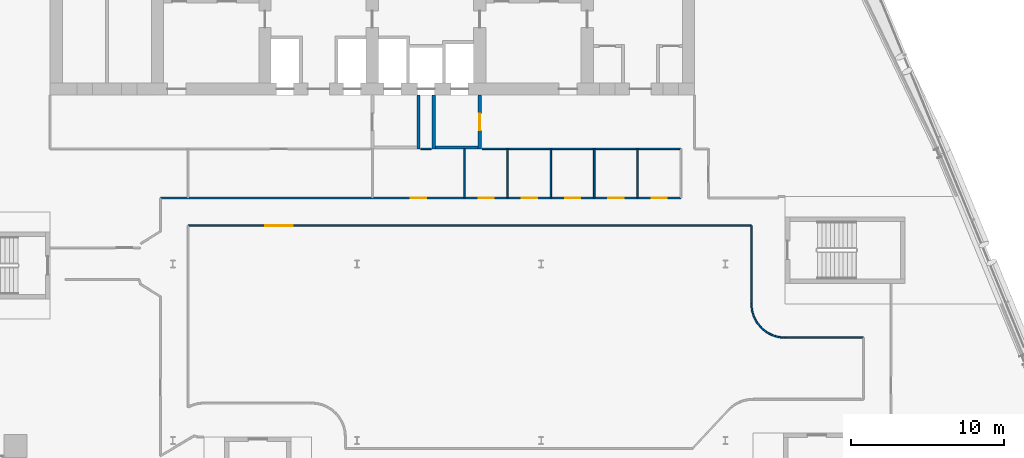
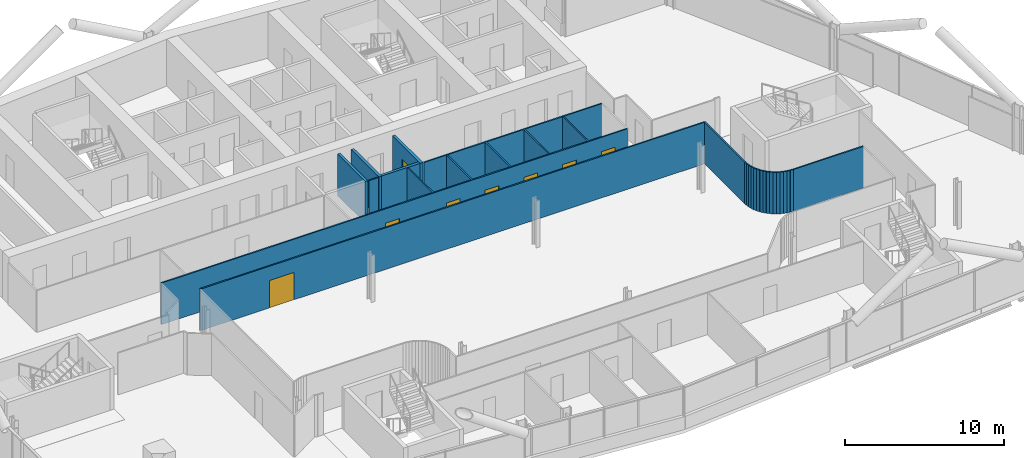
# One storey, part 18 of 29: 31 walls, 8 doors, 8 openings.
"""IFC4 building model written with IfcOpenShell, lengths in metres."""

from ifc_helpers import new_model, si_unit, direction, frame, frame_2d, origin, place, context, subcontext, project, spatial, rectangle, extrude, material, layer, layer_set, type_object, element, fill, save


model = new_model("IFC4")

# Units and contexts
model_context = context("Model", 3, precision=1e-05, world=origin(), true_north=direction((0.0, 1.0)))
body_context = subcontext(model_context, "Body", "Model", "MODEL_VIEW")
ifc_project = project(units=[si_unit("LENGTHUNIT", "METRE"), si_unit("AREAUNIT", "SQUARE_METRE"), si_unit("VOLUMEUNIT", "CUBIC_METRE"), si_unit("PLANEANGLEUNIT", "RADIAN"), si_unit("MASSUNIT", "GRAM", prefix="KILO")], contexts=[model_context])

# Site, building, storey
site_placement = place(None, origin())
site = spatial("IfcSite", under=ifc_project, at=site_placement, CompositionType="ELEMENT")
building_placement = place(site_placement, origin())
building = spatial("IfcBuilding", under=site, at=building_placement, Name="Wharfspan Tower", CompositionType="ELEMENT")
storey_placement = place(building_placement, frame((0.0, 0.0, 162.699951)))
storey = spatial("IfcBuildingStorey", under=building, at=storey_placement, Name="L39", CompositionType="ELEMENT", Elevation=162.699951)

# Wall, openings, doors
ifc_material_1 = material(Name="Gypsum board on steel studs", Category="steel")
ifc_layer_1 = layer(ifc_material_1, 0.100098)
ifc_layer_set_1 = layer_set([ifc_layer_1], Name="Gypsum board on steel studs")
wall_type_1 = type_object("IfcWallType", Name="Compartment wall 100 EI 60", PredefinedType="PARTITIONING", material=ifc_layer_set_1)
wall_1_placement = place(storey_placement, frame((23.199951, 27.300049, 0.0), z_axis=(0.0, 0.0, 1.0), x_axis=(1.0, 0.0, 0.0)))
wall_1 = element("IfcWall", 1, at=wall_1_placement, inside=storey, type_object=wall_type_1, Name="Partition L39.w014", PredefinedType="PARTITIONING", context=body_context, shape_type="SweptSolid", body=[
    extrude(rectangle(XDim=33.900146, YDim=0.100098, at=frame_2d((16.950195, 0.0))), origin(), (0.0, 0.0, 1.0), 3.199951),
])
opening_1_placement = place(wall_1_placement, frame((16.300049, 0.0, 0.0)))
opening_1 = element("IfcOpeningElement", 2, at=opening_1_placement, cuts=wall_1, Name="Opening C2-11", PredefinedType="OPENING", context=body_context, shape_type="SweptSolid", body=[
    extrude(rectangle(XDim=1.0, YDim=2.100098, at=frame_2d((0.5, 1.050049))), frame((0.0, 0.060059, 0.0), z_axis=(0.0, -1.0, 0.0), x_axis=(1.0, 0.0, 0.0)), (0.0, 0.0, 1.0), 0.120117),
])
opening_2_placement = place(wall_1_placement, frame((20.719971, 0.0, 0.0)))
opening_2 = element("IfcOpeningElement", 3, at=opening_2_placement, cuts=wall_1, Name="Opening C2-12", PredefinedType="OPENING", context=body_context, shape_type="SweptSolid", body=[
    extrude(rectangle(XDim=1.0, YDim=2.100098, at=frame_2d((0.5, 1.050049))), frame((0.0, 0.060059, 0.0), z_axis=(0.0, -1.0, 0.0), x_axis=(1.0, 0.0, 0.0)), (0.0, 0.0, 1.0), 0.120117),
])
opening_3_placement = place(wall_1_placement, frame((23.540039, 0.0, 0.0)))
opening_3 = element("IfcOpeningElement", 4, at=opening_3_placement, cuts=wall_1, Name="Opening C2-13", PredefinedType="OPENING", context=body_context, shape_type="SweptSolid", body=[
    extrude(rectangle(XDim=1.0, YDim=2.100098, at=frame_2d((0.5, 1.050049))), frame((0.0, 0.060059, 0.0), z_axis=(0.0, -1.0, 0.0), x_axis=(1.0, 0.0, 0.0)), (0.0, 0.0, 1.0), 0.120117),
])
opening_4_placement = place(wall_1_placement, frame((26.360107, 0.0, 0.0)))
opening_4 = element("IfcOpeningElement", 5, at=opening_4_placement, cuts=wall_1, Name="Opening C2-14", PredefinedType="OPENING", context=body_context, shape_type="SweptSolid", body=[
    extrude(rectangle(XDim=1.0, YDim=2.100098, at=frame_2d((0.5, 1.050049))), frame((0.0, 0.060059, 0.0), z_axis=(0.0, -1.0, 0.0), x_axis=(1.0, 0.0, 0.0)), (0.0, 0.0, 1.0), 0.120117),
])
opening_5_placement = place(wall_1_placement, frame((29.179932, 0.0, 0.0)))
opening_5 = element("IfcOpeningElement", 6, at=opening_5_placement, cuts=wall_1, Name="Opening C2-15", PredefinedType="OPENING", context=body_context, shape_type="SweptSolid", body=[
    extrude(rectangle(XDim=1.0, YDim=2.100098, at=frame_2d((0.5, 1.050049))), frame((0.0, 0.060059, 0.0), z_axis=(0.0, -1.0, 0.0), x_axis=(1.0, 0.0, 0.0)), (0.0, 0.0, 1.0), 0.120117),
])
opening_6_placement = place(wall_1_placement, frame((32.0, 0.0, 0.0)))
opening_6 = element("IfcOpeningElement", 7, at=opening_6_placement, cuts=wall_1, Name="Opening C2-16", PredefinedType="OPENING", context=body_context, shape_type="SweptSolid", body=[
    extrude(rectangle(XDim=1.0, YDim=2.100098, at=frame_2d((0.5, 1.050049))), frame((0.0, 0.060059, 0.0), z_axis=(0.0, -1.0, 0.0), x_axis=(1.0, 0.0, 0.0)), (0.0, 0.0, 1.0), 0.120117),
])
ifc_material_2 = material(Name="Fire-rated timber door leaf in steel frame", Category="steel")
door_type_1 = type_object("IfcDoorType", Name="Door 1000 FD30S Left", OperationType="SINGLE_SWING_LEFT", PredefinedType="DOOR", material=ifc_material_2)
door_1_placement = place(opening_1_placement, origin())
door_1 = element("IfcDoor", 8, at=door_1_placement, inside=storey, type_object=door_type_1, Name="Door C2-11", OperationType="SINGLE_SWING_LEFT", OverallHeight=2.100098, OverallWidth=1.0, PredefinedType="DOOR", context=body_context, shape_type="SweptSolid", body=[
    extrude(rectangle(XDim=1.0, YDim=2.100098, at=frame_2d((0.5, 1.050049))), frame((0.0, 0.024902, 0.0), z_axis=(0.0, -1.0, 0.0), x_axis=(1.0, 0.0, 0.0)), (0.0, 0.0, 1.0), 0.050049),
])
fill(opening_1, door_1)
door_type_2 = type_object("IfcDoorType", Name="Door 1000 FD30S Right", OperationType="SINGLE_SWING_RIGHT", PredefinedType="DOOR", material=ifc_material_2)
door_2_placement = place(opening_2_placement, origin())
door_2 = element("IfcDoor", 9, at=door_2_placement, inside=storey, type_object=door_type_2, Name="Door C2-12", OperationType="SINGLE_SWING_RIGHT", OverallHeight=2.100098, OverallWidth=1.0, PredefinedType="DOOR", context=body_context, shape_type="SweptSolid", body=[
    extrude(rectangle(XDim=1.0, YDim=2.100098, at=frame_2d((0.5, 1.050049))), frame((0.0, 0.024902, 0.0), z_axis=(0.0, -1.0, 0.0), x_axis=(1.0, 0.0, 0.0)), (0.0, 0.0, 1.0), 0.050049),
])
fill(opening_2, door_2)
door_3_placement = place(opening_3_placement, origin())
door_3 = element("IfcDoor", 10, at=door_3_placement, inside=storey, type_object=door_type_2, Name="Door C2-13", OperationType="SINGLE_SWING_RIGHT", OverallHeight=2.100098, OverallWidth=1.0, PredefinedType="DOOR", context=body_context, shape_type="SweptSolid", body=[
    extrude(rectangle(XDim=1.0, YDim=2.100098, at=frame_2d((0.5, 1.050049))), frame((0.0, 0.024902, 0.0), z_axis=(0.0, -1.0, 0.0), x_axis=(1.0, 0.0, 0.0)), (0.0, 0.0, 1.0), 0.050049),
])
fill(opening_3, door_3)
door_4_placement = place(opening_4_placement, origin())
door_4 = element("IfcDoor", 11, at=door_4_placement, inside=storey, type_object=door_type_2, Name="Door C2-14", OperationType="SINGLE_SWING_RIGHT", OverallHeight=2.100098, OverallWidth=1.0, PredefinedType="DOOR", context=body_context, shape_type="SweptSolid", body=[
    extrude(rectangle(XDim=1.0, YDim=2.100098, at=frame_2d((0.5, 1.050049))), frame((0.0, 0.024902, 0.0), z_axis=(0.0, -1.0, 0.0), x_axis=(1.0, 0.0, 0.0)), (0.0, 0.0, 1.0), 0.050049),
])
fill(opening_4, door_4)
door_5_placement = place(opening_5_placement, origin())
door_5 = element("IfcDoor", 12, at=door_5_placement, inside=storey, type_object=door_type_2, Name="Door C2-15", OperationType="SINGLE_SWING_RIGHT", OverallHeight=2.100098, OverallWidth=1.0, PredefinedType="DOOR", context=body_context, shape_type="SweptSolid", body=[
    extrude(rectangle(XDim=1.0, YDim=2.100098, at=frame_2d((0.5, 1.050049))), frame((0.0, 0.024902, 0.0), z_axis=(0.0, -1.0, 0.0), x_axis=(1.0, 0.0, 0.0)), (0.0, 0.0, 1.0), 0.050049),
])
fill(opening_5, door_5)
door_6_placement = place(opening_6_placement, origin())
door_6 = element("IfcDoor", 13, at=door_6_placement, inside=storey, type_object=door_type_2, Name="Door C2-16", OperationType="SINGLE_SWING_RIGHT", OverallHeight=2.100098, OverallWidth=1.0, PredefinedType="DOOR", context=body_context, shape_type="SweptSolid", body=[
    extrude(rectangle(XDim=1.0, YDim=2.100098, at=frame_2d((0.5, 1.050049))), frame((0.0, 0.024902, 0.0), z_axis=(0.0, -1.0, 0.0), x_axis=(1.0, 0.0, 0.0)), (0.0, 0.0, 1.0), 0.050049),
])
fill(opening_6, door_6)

# Wall, opening, door
wall_2_placement = place(storey_placement, frame((25.0, 25.5, 0.0), z_axis=(0.0, 0.0, 1.0), x_axis=(1.0, 0.0, 0.0)))
wall_2 = element("IfcWall", 14, at=wall_2_placement, inside=storey, type_object=wall_type_1, Name="Partition L39.w019", PredefinedType="PARTITIONING", context=body_context, shape_type="SweptSolid", body=[
    extrude(rectangle(XDim=36.705078, YDim=0.100098, at=frame_2d((18.352539, 0.0))), origin(), (0.0, 0.0, 1.0), 3.199951),
])
opening_7_placement = place(wall_2_placement, frame((5.02002, 0.0, 0.0)))
opening_7 = element("IfcOpeningElement", 15, at=opening_7_placement, cuts=wall_2, Name="Opening C2-10", PredefinedType="OPENING", context=body_context, shape_type="SweptSolid", body=[
    extrude(rectangle(XDim=1.800049, YDim=2.100098, at=frame_2d((0.899902, 1.050049))), frame((0.0, 0.060059, 0.0), z_axis=(0.0, -1.0, 0.0), x_axis=(1.0, 0.0, 0.0)), (0.0, 0.0, 1.0), 0.120117),
])
door_type_3 = type_object("IfcDoorType", Name="Door 1800 FD30S Double", OperationType="DOUBLE_DOOR_SINGLE_SWING", PredefinedType="DOOR", material=ifc_material_2)
door_7_placement = place(opening_7_placement, origin())
door_7 = element("IfcDoor", 16, at=door_7_placement, inside=storey, type_object=door_type_3, Name="Door C2-10", OperationType="DOUBLE_DOOR_SINGLE_SWING", OverallHeight=2.100098, OverallWidth=1.800049, PredefinedType="DOOR", context=body_context, shape_type="SweptSolid", body=[
    extrude(rectangle(XDim=1.800049, YDim=2.100098, at=frame_2d((0.899902, 1.050049))), frame((0.0, 0.024902, 0.0), z_axis=(0.0, -1.0, 0.0), x_axis=(1.0, 0.0, 0.0)), (0.0, 0.0, 1.0), 0.050049),
])
fill(opening_7, door_7)

# Walls
for number, where, z_axis, x_axis, name in (
    (17, (43.0, 27.300049, 0.0), (0.0, 0.0, 1.0), (0.0, 1.0, 0.0), "Partition L39.w053"),
    (18, (45.820068, 27.300049, 0.0), (0.0, 0.0, 1.0), (0.0, 1.0, 0.0), "Partition L39.w054"),
    (19, (48.639893, 27.300049, 0.0), (0.0, 0.0, 1.0), (0.0, 1.0, 0.0), "Partition L39.w056"),
    (20, (51.459961, 27.300049, 0.0), (0.0, 0.0, 1.0), (0.0, 1.0, 0.0), "Partition L39.w057"),
    (21, (54.280029, 27.300049, 0.0), (0.0, 0.0, 1.0), (0.0, 1.0, 0.0), "Partition L39.w061"),
):
    element("IfcWall", number, at=place(storey_placement, frame(where, z_axis=z_axis, x_axis=x_axis)), inside=storey, type_object=wall_type_1, Name=name, PredefinedType="PARTITIONING", context=body_context, shape_type="SweptSolid", body=[
        extrude(rectangle(XDim=3.199951, YDim=0.100098, at=frame_2d((1.600098, 0.0))), origin(), (0.0, 0.0, 1.0), 3.199951),
    ])
wall_3_placement = place(storey_placement, frame((61.705078, 20.399902, 0.0), z_axis=(0.0, 0.0, 1.0), x_axis=(0.0, 1.0, 0.0)))
element("IfcWall", 22, at=wall_3_placement, inside=storey, type_object=wall_type_1, Name="Partition L39.w077", PredefinedType="PARTITIONING", context=body_context, shape_type="SweptSolid", body=[
    extrude(rectangle(XDim=5.100098, YDim=0.100098, at=frame_2d((2.550049, 0.0))), origin(), (0.0, 0.0, 1.0), 3.199951),
])
wall_4_placement = place(storey_placement, frame((61.715088, 20.185059, 0.0), z_axis=(0.0, 0.0, 1.0), x_axis=(-0.04654, 0.998912, 0.0)))
element("IfcWall", 23, at=wall_4_placement, inside=storey, type_object=wall_type_1, Name="Partition L39.w078", PredefinedType="PARTITIONING", context=body_context, shape_type="SweptSolid", body=[
    extrude(rectangle(XDim=0.215088, YDim=0.100098, at=frame_2d((0.107422, 0.0))), origin(), (0.0, 0.0, 1.0), 3.199951),
])
wall_5_placement = place(storey_placement, frame((61.745117, 19.969971, 0.0), z_axis=(0.0, 0.0, 1.0), x_axis=(-0.138273, 0.990394, 0.0)))
element("IfcWall", 24, at=wall_5_placement, inside=storey, type_object=wall_type_1, Name="Partition L39.w079", PredefinedType="PARTITIONING", context=body_context, shape_type="SweptSolid", body=[
    extrude(rectangle(XDim=0.217285, YDim=0.100098, at=frame_2d((0.108643, 0.0))), origin(), (0.0, 0.0, 1.0), 3.199951),
])
wall_6_placement = place(storey_placement, frame((61.800049, 19.76001, 0.0), z_axis=(0.0, 0.0, 1.0), x_axis=(-0.253108, 0.967435, 0.0)))
element("IfcWall", 25, at=wall_6_placement, inside=storey, type_object=wall_type_1, Name="Partition L39.w080", PredefinedType="PARTITIONING", context=body_context, shape_type="SweptSolid", body=[
    extrude(rectangle(XDim=0.217041, YDim=0.100098, at=frame_2d((0.108398, 0.0))), origin(), (0.0, 0.0, 1.0), 3.199951),
])
wall_7_placement = place(storey_placement, frame((61.870117, 19.560059, 0.0), z_axis=(0.0, 0.0, 1.0), x_axis=(-0.330711, 0.943736, 0.0)))
element("IfcWall", 26, at=wall_7_placement, inside=storey, type_object=wall_type_1, Name="Partition L39.w082", PredefinedType="PARTITIONING", context=body_context, shape_type="SweptSolid", body=[
    extrude(rectangle(XDim=0.211914, YDim=0.100098, at=frame_2d((0.105957, 0.0))), origin(), (0.0, 0.0, 1.0), 3.199951),
])
wall_8_placement = place(storey_placement, frame((61.965088, 19.360107, 0.0), z_axis=(0.0, 0.0, 1.0), x_axis=(-0.429036, 0.903292, 0.0)))
element("IfcWall", 27, at=wall_8_placement, inside=storey, type_object=wall_type_1, Name="Partition L39.w083", PredefinedType="PARTITIONING", context=body_context, shape_type="SweptSolid", body=[
    extrude(rectangle(XDim=0.221436, YDim=0.100098, at=frame_2d((0.11084, 0.0))), origin(), (0.0, 0.0, 1.0), 3.199951),
])
wall_9_placement = place(storey_placement, frame((62.074951, 19.175049, 0.0), z_axis=(0.0, 0.0, 1.0), x_axis=(-0.510487, 0.859887, 0.0)))
element("IfcWall", 28, at=wall_9_placement, inside=storey, type_object=wall_type_1, Name="Partition L39.w084", PredefinedType="PARTITIONING", context=body_context, shape_type="SweptSolid", body=[
    extrude(rectangle(XDim=0.215332, YDim=0.100098, at=frame_2d((0.107666, 0.0))), origin(), (0.0, 0.0, 1.0), 3.199951),
])
wall_10_placement = place(storey_placement, frame((62.205078, 19.004883, 0.0), z_axis=(0.0, 0.0, 1.0), x_axis=(-0.607451, 0.794359, 0.0)))
element("IfcWall", 29, at=wall_10_placement, inside=storey, type_object=wall_type_1, Name="Partition L39.w085", PredefinedType="PARTITIONING", context=body_context, shape_type="SweptSolid", body=[
    extrude(rectangle(XDim=0.214111, YDim=0.100098, at=frame_2d((0.106934, 0.0))), origin(), (0.0, 0.0, 1.0), 3.199951),
])
for number, where, z_axis, x_axis, name in (
    (30, (62.350098, 18.844971, 0.0), (0.0, 0.0, 1.0), (-0.671775, 0.740762, 0.0), "Partition L39.w086"),
    (31, (62.51001, 18.699951, 0.0), (0.0, 0.0, 1.0), (-0.740762, 0.671775, 0.0), "Partition L39.w087"),
):
    element("IfcWall", number, at=place(storey_placement, frame(where, z_axis=z_axis, x_axis=x_axis)), inside=storey, type_object=wall_type_1, Name=name, PredefinedType="PARTITIONING", context=body_context, shape_type="SweptSolid", body=[
        extrude(rectangle(XDim=0.21582, YDim=0.100098, at=frame_2d((0.10791, 0.0))), origin(), (0.0, 0.0, 1.0), 3.199951),
    ])
wall_11_placement = place(storey_placement, frame((62.679932, 18.570068, 0.0), z_axis=(0.0, 0.0, 1.0), x_axis=(-0.794484, 0.607278, 0.0)))
element("IfcWall", 32, at=wall_11_placement, inside=storey, type_object=wall_type_1, Name="Partition L39.w088", PredefinedType="PARTITIONING", context=body_context, shape_type="SweptSolid", body=[
    extrude(rectangle(XDim=0.213867, YDim=0.100098, at=frame_2d((0.106934, 0.0))), origin(), (0.0, 0.0, 1.0), 3.199951),
])
wall_12_placement = place(storey_placement, frame((62.86499, 18.459961, 0.0), z_axis=(0.0, 0.0, 1.0), x_axis=(-0.859387, 0.511324, 0.0)))
element("IfcWall", 33, at=wall_12_placement, inside=storey, type_object=wall_type_1, Name="Partition L39.w089", PredefinedType="PARTITIONING", context=body_context, shape_type="SweptSolid", body=[
    extrude(rectangle(XDim=0.215332, YDim=0.100098, at=frame_2d((0.107666, 0.0))), origin(), (0.0, 0.0, 1.0), 3.199951),
])
wall_13_placement = place(storey_placement, frame((63.060059, 18.36499, 0.0), z_axis=(0.0, 0.0, 1.0), x_axis=(-0.899103, 0.437736, 0.0)))
element("IfcWall", 34, at=wall_13_placement, inside=storey, type_object=wall_type_1, Name="Partition L39.w090", PredefinedType="PARTITIONING", context=body_context, shape_type="SweptSolid", body=[
    extrude(rectangle(XDim=0.217041, YDim=0.100098, at=frame_2d((0.108398, 0.0))), origin(), (0.0, 0.0, 1.0), 3.199951),
])
wall_14_placement = place(storey_placement, frame((63.264893, 18.294922, 0.0), z_axis=(0.0, 0.0, 1.0), x_axis=(-0.94617, 0.32366, 0.0)))
element("IfcWall", 35, at=wall_14_placement, inside=storey, type_object=wall_type_1, Name="Partition L39.w091", PredefinedType="PARTITIONING", context=body_context, shape_type="SweptSolid", body=[
    extrude(rectangle(XDim=0.216553, YDim=0.100098, at=frame_2d((0.108398, 0.0))), origin(), (0.0, 0.0, 1.0), 3.199951),
])
wall_15_placement = place(storey_placement, frame((63.475098, 18.23999, 0.0), z_axis=(0.0, 0.0, 1.0), x_axis=(-0.967508, 0.252833, 0.0)))
element("IfcWall", 36, at=wall_15_placement, inside=storey, type_object=wall_type_1, Name="Partition L39.w093", PredefinedType="PARTITIONING", context=body_context, shape_type="SweptSolid", body=[
    extrude(rectangle(XDim=0.217285, YDim=0.100098, at=frame_2d((0.108643, 0.0))), origin(), (0.0, 0.0, 1.0), 3.199951),
])
wall_16_placement = place(storey_placement, frame((63.689941, 18.209961, 0.0), z_axis=(0.0, 0.0, 1.0), x_axis=(-0.990372, 0.138427, 0.0)))
element("IfcWall", 37, at=wall_16_placement, inside=storey, type_object=wall_type_1, Name="Partition L39.w094", PredefinedType="PARTITIONING", context=body_context, shape_type="SweptSolid", body=[
    extrude(rectangle(XDim=0.217041, YDim=0.100098, at=frame_2d((0.108398, 0.0))), origin(), (0.0, 0.0, 1.0), 3.199951),
])
wall_17_placement = place(storey_placement, frame((63.905029, 18.199951, 0.0), z_axis=(0.0, 0.0, 1.0), x_axis=(1.0, 0.0, 0.0)))
element("IfcWall", 38, at=wall_17_placement, inside=storey, type_object=wall_type_1, Name="Partition L39.w095", PredefinedType="PARTITIONING", context=body_context, shape_type="SweptSolid", body=[
    extrude(rectangle(XDim=5.094971, YDim=0.100098, at=frame_2d((2.547363, 0.0))), origin(), (0.0, 0.0, 1.0), 3.199951),
])
wall_18_placement = place(storey_placement, frame((63.905029, 18.199951, 0.0), z_axis=(0.0, 0.0, 1.0), x_axis=(-0.998923, 0.046488, 0.0)))
element("IfcWall", 39, at=wall_18_placement, inside=storey, type_object=wall_type_1, Name="Partition L39.w096", PredefinedType="PARTITIONING", context=body_context, shape_type="SweptSolid", body=[
    extrude(rectangle(XDim=0.215332, YDim=0.100098, at=frame_2d((0.107666, 0.0))), origin(), (0.0, 0.0, 1.0), 3.199951),
])
wall_19_placement = place(storey_placement, frame((40.149902, 30.5, 0.0), z_axis=(0.0, 0.0, 1.0), x_axis=(1.0, 0.0, 0.0)))
element("IfcWall", 40, at=wall_19_placement, inside=storey, type_object=wall_type_1, Name="Partition L39.w005 (2)", PredefinedType="PARTITIONING", context=body_context, shape_type="SweptSolid", body=[
    extrude(rectangle(XDim=0.700195, YDim=0.100098, at=frame_2d((0.350098, 0.0))), origin(), (0.0, 0.0, 1.0), 3.199951),
])
wall_20_placement = place(storey_placement, frame((44.149902, 30.5, 0.0), z_axis=(0.0, 0.0, 1.0), x_axis=(1.0, 0.0, 0.0)))
element("IfcWall", 41, at=wall_20_placement, inside=storey, type_object=wall_type_1, Name="Partition L39.w005 (3)", PredefinedType="PARTITIONING", context=body_context, shape_type="SweptSolid", body=[
    extrude(rectangle(XDim=12.950195, YDim=0.100098, at=frame_2d((6.475098, 0.0))), origin(), (0.0, 0.0, 1.0), 3.199951),
])
ifc_material_3 = material(Name="Concrete C30/37", Category="concrete")
ifc_layer_2 = layer(ifc_material_3, 0.199951)
ifc_layer_set_2 = layer_set([ifc_layer_2], Name="Concrete C30/37")
wall_type_2 = type_object("IfcWallType", Name="Lobby wall 200", PredefinedType="PARTITIONING", material=ifc_layer_set_2)
for number, where, z_axis, x_axis, name in (
    (42, (40.0, 30.5, 0.0), (0.0, 0.0, 1.0), (0.0, 1.0, 0.0), "sw:L39:FLFF1E"),
    (43, (41.0, 30.5, 0.0), (0.0, 0.0, 1.0), (0.0, 1.0, 0.0), "sw:L39:FLFF2W"),
):
    element("IfcWall", number, at=place(storey_placement, frame(where, z_axis=z_axis, x_axis=x_axis)), inside=storey, type_object=wall_type_2, Name=name, PredefinedType="PARTITIONING", context=body_context, shape_type="SweptSolid", body=[
        extrude(rectangle(XDim=3.5, YDim=0.199951, at=frame_2d((1.75, 0.0))), origin(), (0.0, 0.0, 1.0), 3.199951),
    ])

# Wall, opening, door
wall_21_placement = place(storey_placement, frame((44.0, 30.5, 0.0), z_axis=(0.0, 0.0, 1.0), x_axis=(0.0, 1.0, 0.0)))
wall_21 = element("IfcWall", 44, at=wall_21_placement, inside=storey, type_object=wall_type_2, Name="sw:L39:FLFF2E", PredefinedType="PARTITIONING", context=body_context, shape_type="SweptSolid", body=[
    extrude(rectangle(XDim=3.5, YDim=0.199951, at=frame_2d((1.75, 0.0))), origin(), (0.0, 0.0, 1.0), 3.199951),
])
opening_8_placement = place(wall_21_placement, frame((1.199951, 0.0, 0.0)))
opening_8 = element("IfcOpeningElement", 45, at=opening_8_placement, cuts=wall_21, Name="Opening FL.FF2.L39", PredefinedType="OPENING", context=body_context, shape_type="SweptSolid", body=[
    extrude(rectangle(XDim=1.100098, YDim=2.100098, at=frame_2d((0.550049, 1.050049))), frame((0.0, 0.109863, 0.0), z_axis=(0.0, -1.0, 0.0), x_axis=(1.0, 0.0, 0.0)), (0.0, 0.0, 1.0), 0.219971),
])
ifc_material_4 = material(Name="Steel door leaf", Category="steel")
door_type_4 = type_object("IfcDoorType", Name="Firefighting lobby door 1100x2100", OperationType="SINGLE_SWING_LEFT", PredefinedType="DOOR", material=ifc_material_4)
door_8_placement = place(opening_8_placement, origin())
door_8 = element("IfcDoor", 46, at=door_8_placement, inside=storey, type_object=door_type_4, Name="fd:L39:FF2", OperationType="SINGLE_SWING_LEFT", OverallHeight=2.100098, OverallWidth=1.100098, PredefinedType="DOOR", context=body_context, shape_type="SweptSolid", body=[
    extrude(rectangle(XDim=1.100098, YDim=2.100098, at=frame_2d((0.550049, 1.050049))), frame((0.0, 0.024902, 0.0), z_axis=(0.0, -1.0, 0.0), x_axis=(1.0, 0.0, 0.0)), (0.0, 0.0, 1.0), 0.050049),
])
fill(opening_8, door_8)

# Wall
wall_22_placement = place(storey_placement, frame((41.100098, 30.600098, 0.0), z_axis=(0.0, 0.0, 1.0), x_axis=(1.0, 0.0, 0.0)))
element("IfcWall", 47, at=wall_22_placement, inside=storey, type_object=wall_type_2, Name="sw:L39:FLFF2F", PredefinedType="PARTITIONING", context=body_context, shape_type="SweptSolid", body=[
    extrude(rectangle(XDim=2.799805, YDim=0.199951, at=frame_2d((1.399902, 0.0))), origin(), (0.0, 0.0, 1.0), 3.199951),
])

save(model, "model.ifc")
